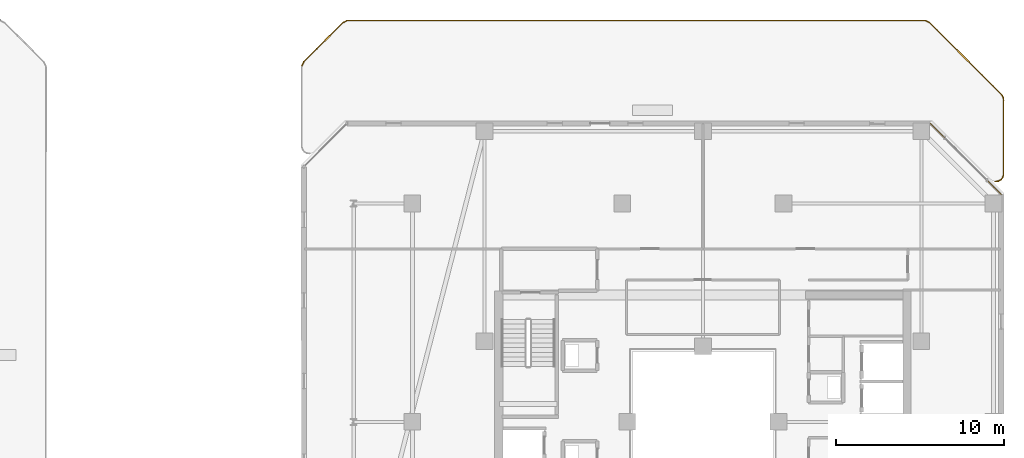
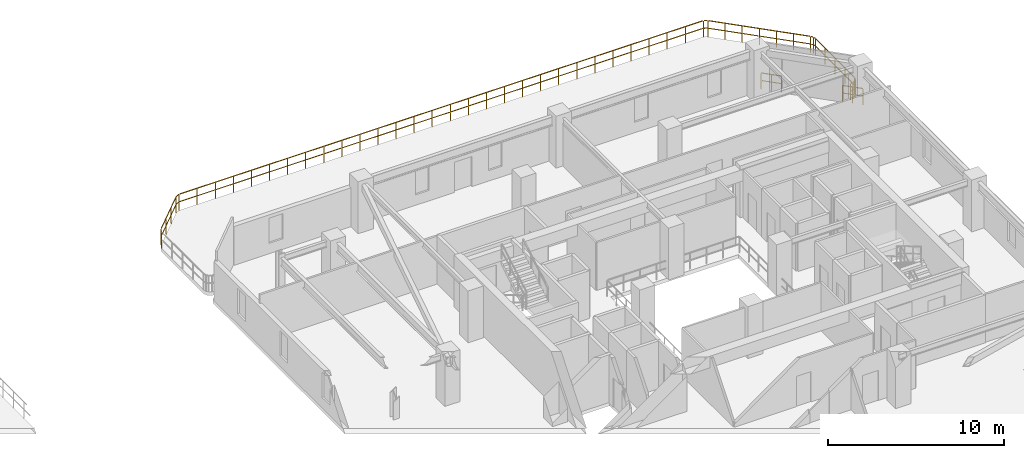
# One storey, part 32 of 32: 3 railings.
"""IFC4 building model written with IfcOpenShell, lengths in metres."""

from ifc_helpers import new_model, si_unit, direction, frame, origin, origin_2d, place, context, subcontext, project, spatial, rectangle, extrude, material, type_object, element, save


model = new_model("IFC4")

# Units and contexts
model_context = context("Model", 3, precision=1e-05, world=origin(), true_north=direction((0.0, 1.0)))
body_context = subcontext(model_context, "Body", "Model", "MODEL_VIEW")
ifc_project = project(units=[si_unit("LENGTHUNIT", "METRE"), si_unit("AREAUNIT", "SQUARE_METRE"), si_unit("VOLUMEUNIT", "CUBIC_METRE"), si_unit("PLANEANGLEUNIT", "RADIAN"), si_unit("MASSUNIT", "GRAM", prefix="KILO")], contexts=[model_context])

# Site, building, storey
site_placement = place(None, origin())
site = spatial("IfcSite", under=ifc_project, at=site_placement, CompositionType="ELEMENT")
building_placement = place(site_placement, origin())
building = spatial("IfcBuilding", under=site, at=building_placement, Name="Thornwick Lancets Civic Towers", CompositionType="ELEMENT")
storey_placement = place(building_placement, frame((0.0, 0.0, 200.10009765625)))
storey = spatial("IfcBuildingStorey", under=building, at=storey_placement, Name="L53", CompositionType="ELEMENT", Elevation=200.10009765625)

# Railings
ifc_material = material(Name="Terracotta-capped laminated glass balustrade S355", Category="masonry")
railing_type = type_object("IfcRailingType", Name="RAIL_TERR_GUARD", PredefinedType="GUARDRAIL", material=ifc_material)
for number, where, name in (
    (1, (106.25927734375, 40.52587890625, 0.0), "L53 Tower B Chamfer Spandrel Guard E3-1"),
    (2, (102.87646484375, 43.90869140625, 0.0), "L53 Tower B Chamfer Spandrel Guard E3-2"),
):
    element("IfcRailing", number, at=place(storey_placement, frame(where)), inside=storey, type_object=railing_type, Name=name, PredefinedType="GUARDRAIL", context=body_context, shape_type="SweptSolid", body=[
        extrude(rectangle(XDim=0.048095703125, YDim=0.048095703125, at=origin_2d()), frame((0.0, 0.0, 1.1259765625), z_axis=(-0.707106781187, 0.707106781187, 0.0), x_axis=(-0.707106781187, -0.707106781187, 0.0)), (0.0, 0.0, 1.0), 1.202880859375),
        extrude(rectangle(XDim=0.0419921875, YDim=0.0419921875, at=origin_2d()), frame((-0.026611328125, 0.026611328125, 0.597900390625), z_axis=(-0.707106781187, 0.707106781187, 0.0), x_axis=(-0.707106781187, -0.707106781187, 0.0)), (0.0, 0.0, 1.0), 0.5263671875),
        extrude(rectangle(XDim=0.0419921875, YDim=0.0419921875, at=origin_2d()), frame((-0.451904296875, 0.451904296875, 0.597900390625), z_axis=(-0.707106781187, 0.707106781187, 0.0), x_axis=(-0.707106781187, -0.707106781187, 0.0)), (0.0, 0.0, 1.0), 0.5263671875),
        extrude(rectangle(XDim=0.0419921875, YDim=0.0419921875, at=origin_2d()), origin(), (0.0, 0.0, 1.0), 1.095703125),
        extrude(rectangle(XDim=0.0419921875, YDim=0.0419921875, at=origin_2d()), frame((-0.42529296875, 0.42529296875, 0.0)), (0.0, 0.0, 1.0), 1.095703125),
        extrude(rectangle(XDim=0.0419921875, YDim=0.0419921875, at=origin_2d()), frame((-0.8505859375, 0.8505859375, 0.0)), (0.0, 0.0, 1.0), 1.095703125),
    ])
railing_placement = place(storey_placement, frame((64.602294921875, 48.15771484375, 0.0)))
element("IfcRailing", 3, at=railing_placement, inside=storey, type_object=railing_type, Name="L53 Tower B Sky-Garden Guard 1 Part 1", PredefinedType="GUARDRAIL", context=body_context, shape_type="SweptSolid", body=[
    extrude(rectangle(XDim=0.048095703125, YDim=0.048095703125, at=origin_2d()), frame((0.0, 0.0, 1.1259765625), z_axis=(0.426805098696, 0.904343633652, 0.0), x_axis=(-0.904343633652, 0.426805098696, 0.0)), (0.0, 0.0, 1.0), 0.27197265625),
    extrude(rectangle(XDim=0.0419921875, YDim=0.0419921875, at=origin_2d()), frame((0.01611328125, 0.033935546875, 0.597900390625), z_axis=(0.426805098696, 0.904343633652, 0.0), x_axis=(-0.904343633652, 0.426805098696, 0.0)), (0.0, 0.0, 1.0), 0.228271484375),
    extrude(rectangle(XDim=0.048095703125, YDim=0.048095703125, at=origin_2d()), frame((0.151611328125, 0.29638671875, 1.1259765625), z_axis=(0.707106781187, 0.707106781187, 0.0), x_axis=(-0.707106781187, 0.707106781187, 0.0)), (0.0, 0.0, 1.0), 3.24169921875),
    extrude(rectangle(XDim=0.0419921875, YDim=0.0419921875, at=origin_2d()), frame((0.156005859375, 0.30078125, 0.597900390625), z_axis=(0.707106781187, 0.707106781187, 0.0), x_axis=(-0.707106781187, 0.707106781187, 0.0)), (0.0, 0.0, 1.0), 1.0263671875),
    extrude(rectangle(XDim=0.0419921875, YDim=0.0419921875, at=origin_2d()), frame((0.934814453125, 1.07958984375, 0.597900390625), z_axis=(0.707106781187, 0.707106781187, 0.0), x_axis=(-0.707106781187, 0.707106781187, 0.0)), (0.0, 0.0, 1.0), 1.0263671875),
    extrude(rectangle(XDim=0.0419921875, YDim=0.0419921875, at=origin_2d()), frame((1.713623046875, 1.8583984375, 0.597900390625), z_axis=(0.707106781187, 0.707106781187, 0.0), x_axis=(-0.707106781187, 0.707106781187, 0.0)), (0.0, 0.0, 1.0), 1.0263671875),
    extrude(rectangle(XDim=0.048095703125, YDim=0.048095703125, at=origin_2d()), frame((2.494140625, 2.6240234375, 1.1259765625), z_axis=(0.904343633652, 0.426805098696, 0.0), x_axis=(-0.426805098696, 0.904343633652, 0.0)), (0.0, 0.0, 1.0), 0.24072265625),
    extrude(rectangle(XDim=0.0419921875, YDim=0.0419921875, at=origin_2d()), frame((2.499755859375, 2.626708984375, 0.597900390625), z_axis=(0.904343633652, 0.426805098696, 0.0), x_axis=(-0.426805098696, 0.904343633652, 0.0)), (0.0, 0.0, 1.0), 0.228271484375),
    extrude(rectangle(XDim=0.048095703125, YDim=0.048095703125, at=origin_2d()), frame((2.771240234375, 2.739990234375, 1.1259765625), z_axis=(0.999999982996, -0.000184411547, 0.0), x_axis=(0.000184411547, 0.999999982996, 0.0)), (0.0, 0.0, 1.0), 34.358642578125),
    extrude(rectangle(XDim=0.0419921875, YDim=0.0419921875, at=origin_2d()), frame((2.777587890625, 2.739990234375, 0.597900390625), z_axis=(0.999999982996, -0.000184411547, 0.0), x_axis=(0.000184411547, 0.999999982996, 0.0)), (0.0, 0.0, 1.0), 1.112060546875),
    extrude(rectangle(XDim=0.0419921875, YDim=0.0419921875, at=origin_2d()), frame((3.96435546875, 2.73974609375, 0.597900390625), z_axis=(0.999999982996, -0.000184411547, 0.0), x_axis=(0.000184411547, 0.999999982996, 0.0)), (0.0, 0.0, 1.0), 1.112060546875),
    extrude(rectangle(XDim=0.0419921875, YDim=0.0419921875, at=origin_2d()), frame((5.1513671875, 2.739501953125, 0.597900390625), z_axis=(0.999999982996, -0.000184411547, 0.0), x_axis=(0.000184411547, 0.999999982996, 0.0)), (0.0, 0.0, 1.0), 1.112060546875),
    extrude(rectangle(XDim=0.0419921875, YDim=0.0419921875, at=origin_2d()), frame((6.33837890625, 2.7392578125, 0.597900390625), z_axis=(0.999999982996, -0.000184411547, 0.0), x_axis=(0.000184411547, 0.999999982996, 0.0)), (0.0, 0.0, 1.0), 1.112060546875),
    extrude(rectangle(XDim=0.0419921875, YDim=0.0419921875, at=origin_2d()), frame((7.525146484375, 2.739013671875, 0.597900390625), z_axis=(0.999999982996, -0.000184411547, 0.0), x_axis=(0.000184411547, 0.999999982996, 0.0)), (0.0, 0.0, 1.0), 1.112060546875),
    extrude(rectangle(XDim=0.0419921875, YDim=0.0419921875, at=origin_2d()), frame((8.712158203125, 2.73876953125, 0.597900390625), z_axis=(0.999999982996, -0.000184411547, 0.0), x_axis=(0.000184411547, 0.999999982996, 0.0)), (0.0, 0.0, 1.0), 1.112060546875),
    extrude(rectangle(XDim=0.0419921875, YDim=0.0419921875, at=origin_2d()), frame((9.899169921875, 2.73876953125, 0.597900390625), z_axis=(0.999999982996, -0.000184411547, 0.0), x_axis=(0.000184411547, 0.999999982996, 0.0)), (0.0, 0.0, 1.0), 1.112060546875),
    extrude(rectangle(XDim=0.0419921875, YDim=0.0419921875, at=origin_2d()), frame((11.0859375, 2.738525390625, 0.597900390625), z_axis=(0.999999982996, -0.000184411547, 0.0), x_axis=(0.000184411547, 0.999999982996, 0.0)), (0.0, 0.0, 1.0), 1.112060546875),
    extrude(rectangle(XDim=0.0419921875, YDim=0.0419921875, at=origin_2d()), frame((12.27294921875, 2.73828125, 0.597900390625), z_axis=(0.999999982996, -0.000184411547, 0.0), x_axis=(0.000184411547, 0.999999982996, 0.0)), (0.0, 0.0, 1.0), 1.112060546875),
    extrude(rectangle(XDim=0.0419921875, YDim=0.0419921875, at=origin_2d()), frame((13.4599609375, 2.738037109375, 0.597900390625), z_axis=(0.999999982996, -0.000184411547, 0.0), x_axis=(0.000184411547, 0.999999982996, 0.0)), (0.0, 0.0, 1.0), 1.112060546875),
    extrude(rectangle(XDim=0.0419921875, YDim=0.0419921875, at=origin_2d()), frame((14.646728515625, 2.73779296875, 0.597900390625), z_axis=(0.999999982996, -0.000184411547, 0.0), x_axis=(0.000184411547, 0.999999982996, 0.0)), (0.0, 0.0, 1.0), 1.112060546875),
    extrude(rectangle(XDim=0.0419921875, YDim=0.0419921875, at=origin_2d()), frame((15.833740234375, 2.737548828125, 0.597900390625), z_axis=(0.999999982996, -0.000184411547, 0.0), x_axis=(0.000184411547, 0.999999982996, 0.0)), (0.0, 0.0, 1.0), 1.112060546875),
    extrude(rectangle(XDim=0.0419921875, YDim=0.0419921875, at=origin_2d()), frame((17.020751953125, 2.7373046875, 0.597900390625), z_axis=(0.999999982996, -0.000184411547, 0.0), x_axis=(0.000184411547, 0.999999982996, 0.0)), (0.0, 0.0, 1.0), 1.112060546875),
    extrude(rectangle(XDim=0.0419921875, YDim=0.0419921875, at=origin_2d()), frame((18.207763671875, 2.737060546875, 0.597900390625), z_axis=(0.999999982996, -0.000184411547, 0.0), x_axis=(0.000184411547, 0.999999982996, 0.0)), (0.0, 0.0, 1.0), 1.112060546875),
    extrude(rectangle(XDim=0.0419921875, YDim=0.0419921875, at=origin_2d()), frame((19.39453125, 2.73681640625, 0.597900390625), z_axis=(0.999999982996, -0.000184411547, 0.0), x_axis=(0.000184411547, 0.999999982996, 0.0)), (0.0, 0.0, 1.0), 1.112060546875),
    extrude(rectangle(XDim=0.0419921875, YDim=0.0419921875, at=origin_2d()), frame((20.58154296875, 2.73681640625, 0.597900390625), z_axis=(0.999999982996, -0.000184411547, 0.0), x_axis=(0.000184411547, 0.999999982996, 0.0)), (0.0, 0.0, 1.0), 1.112060546875),
    extrude(rectangle(XDim=0.0419921875, YDim=0.0419921875, at=origin_2d()), frame((21.7685546875, 2.736572265625, 0.597900390625), z_axis=(0.999999982996, -0.000184411547, 0.0), x_axis=(0.000184411547, 0.999999982996, 0.0)), (0.0, 0.0, 1.0), 1.112060546875),
    extrude(rectangle(XDim=0.0419921875, YDim=0.0419921875, at=origin_2d()), frame((22.955322265625, 2.736328125, 0.597900390625), z_axis=(0.999999982996, -0.000184411547, 0.0), x_axis=(0.000184411547, 0.999999982996, 0.0)), (0.0, 0.0, 1.0), 1.112060546875),
    extrude(rectangle(XDim=0.0419921875, YDim=0.0419921875, at=origin_2d()), frame((24.142333984375, 2.736083984375, 0.597900390625), z_axis=(0.999999982996, -0.000184411547, 0.0), x_axis=(0.000184411547, 0.999999982996, 0.0)), (0.0, 0.0, 1.0), 1.112060546875),
    extrude(rectangle(XDim=0.0419921875, YDim=0.0419921875, at=origin_2d()), frame((25.329345703125, 2.73583984375, 0.597900390625), z_axis=(0.999999982996, -0.000184411547, 0.0), x_axis=(0.000184411547, 0.999999982996, 0.0)), (0.0, 0.0, 1.0), 1.112060546875),
    extrude(rectangle(XDim=0.0419921875, YDim=0.0419921875, at=origin_2d()), frame((26.51611328125, 2.735595703125, 0.597900390625), z_axis=(0.999999982996, -0.000184411547, 0.0), x_axis=(0.000184411547, 0.999999982996, 0.0)), (0.0, 0.0, 1.0), 1.112060546875),
    extrude(rectangle(XDim=0.0419921875, YDim=0.0419921875, at=origin_2d()), frame((27.703125, 2.7353515625, 0.597900390625), z_axis=(0.999999982996, -0.000184411547, 0.0), x_axis=(0.000184411547, 0.999999982996, 0.0)), (0.0, 0.0, 1.0), 1.112060546875),
    extrude(rectangle(XDim=0.0419921875, YDim=0.0419921875, at=origin_2d()), frame((28.89013671875, 2.735107421875, 0.597900390625), z_axis=(0.999999982996, -0.000184411547, 0.0), x_axis=(0.000184411547, 0.999999982996, 0.0)), (0.0, 0.0, 1.0), 1.112060546875),
    extrude(rectangle(XDim=0.0419921875, YDim=0.0419921875, at=origin_2d()), frame((30.076904296875, 2.73486328125, 0.597900390625), z_axis=(0.999999982996, -0.000184411547, 0.0), x_axis=(0.000184411547, 0.999999982996, 0.0)), (0.0, 0.0, 1.0), 1.112060546875),
    extrude(rectangle(XDim=0.0419921875, YDim=0.0419921875, at=origin_2d()), frame((31.263916015625, 2.734619140625, 0.597900390625), z_axis=(0.999999982996, -0.000184411547, 0.0), x_axis=(0.000184411547, 0.999999982996, 0.0)), (0.0, 0.0, 1.0), 1.112060546875),
    extrude(rectangle(XDim=0.0419921875, YDim=0.0419921875, at=origin_2d()), frame((32.450927734375, 2.734619140625, 0.597900390625), z_axis=(0.999999982996, -0.000184411547, 0.0), x_axis=(0.000184411547, 0.999999982996, 0.0)), (0.0, 0.0, 1.0), 1.112060546875),
    extrude(rectangle(XDim=0.0419921875, YDim=0.0419921875, at=origin_2d()), frame((33.637939453125, 2.734375, 0.597900390625), z_axis=(0.999999982996, -0.000184411547, 0.0), x_axis=(0.000184411547, 0.999999982996, 0.0)), (0.0, 0.0, 1.0), 1.112060546875),
    extrude(rectangle(XDim=0.0419921875, YDim=0.0419921875, at=origin_2d()), frame((34.82470703125, 2.734130859375, 0.597900390625), z_axis=(0.999999982996, -0.000184411547, 0.0), x_axis=(0.000184411547, 0.999999982996, 0.0)), (0.0, 0.0, 1.0), 1.112060546875),
    extrude(rectangle(XDim=0.0419921875, YDim=0.0419921875, at=origin_2d()), frame((36.01171875, 2.73388671875, 0.597900390625), z_axis=(0.999999982996, -0.000184411547, 0.0), x_axis=(0.000184411547, 0.999999982996, 0.0)), (0.0, 0.0, 1.0), 1.112060546875),
    extrude(rectangle(XDim=0.048095703125, YDim=0.048095703125, at=origin_2d()), frame((37.188720703125, 2.718994140625, 1.1259765625), z_axis=(0.882145912945, -0.470976207759, 0.0), x_axis=(0.470976207759, 0.882145912945, 0.0)), (0.0, 0.0, 1.0), 0.19873046875),
    extrude(rectangle(XDim=0.0419921875, YDim=0.0419921875, at=origin_2d()), frame((37.194091796875, 2.716064453125, 0.597900390625), z_axis=(0.882145912945, -0.470976207759, 0.0), x_axis=(0.470976207759, 0.882145912945, 0.0)), (0.0, 0.0, 1.0), 0.186279296875),
    extrude(rectangle(XDim=0.048095703125, YDim=0.048095703125, at=origin_2d()), frame((37.413818359375, 2.58837890625, 1.1259765625), z_axis=(0.707106781187, -0.707106781187, 0.0), x_axis=(0.707106781187, 0.707106781187, 0.0)), (0.0, 0.0, 1.0), 5.982421875),
    extrude(rectangle(XDim=0.0419921875, YDim=0.0419921875, at=origin_2d()), frame((37.418212890625, 2.583984375, 0.597900390625), z_axis=(0.707106781187, -0.707106781187, 0.0), x_axis=(0.707106781187, 0.707106781187, 0.0)), (0.0, 0.0, 1.0), 0.9326171875),
    extrude(rectangle(XDim=0.0419921875, YDim=0.0419921875, at=origin_2d()), frame((38.130615234375, 1.87158203125, 0.597900390625), z_axis=(0.707106781187, -0.707106781187, 0.0), x_axis=(0.707106781187, 0.707106781187, 0.0)), (0.0, 0.0, 1.0), 0.9326171875),
    extrude(rectangle(XDim=0.0419921875, YDim=0.0419921875, at=origin_2d()), frame((38.843017578125, 1.1591796875, 0.597900390625), z_axis=(0.707106781187, -0.707106781187, 0.0), x_axis=(0.707106781187, 0.707106781187, 0.0)), (0.0, 0.0, 1.0), 0.9326171875),
    extrude(rectangle(XDim=0.0419921875, YDim=0.0419921875, at=origin_2d()), frame((39.555419921875, 0.44677734375, 0.597900390625), z_axis=(0.707106781187, -0.707106781187, 0.0), x_axis=(0.707106781187, 0.707106781187, 0.0)), (0.0, 0.0, 1.0), 0.9326171875),
    extrude(rectangle(XDim=0.0419921875, YDim=0.0419921875, at=origin_2d()), frame((40.267822265625, -0.265625, 0.597900390625), z_axis=(0.707106781187, -0.707106781187, 0.0), x_axis=(0.707106781187, 0.707106781187, 0.0)), (0.0, 0.0, 1.0), 0.9326171875),
    extrude(rectangle(XDim=0.0419921875, YDim=0.0419921875, at=origin_2d()), frame((40.980224609375, -0.97802734375, 0.597900390625), z_axis=(0.707106781187, -0.707106781187, 0.0), x_axis=(0.707106781187, 0.707106781187, 0.0)), (0.0, 0.0, 1.0), 0.9326171875),
    extrude(rectangle(XDim=0.048095703125, YDim=0.048095703125, at=origin_2d()), frame((41.683349609375, -1.68994140625, 1.1259765625), z_axis=(0.555021161978, -0.831836227726, 0.0), x_axis=(0.831836227726, 0.555021161978, 0.0)), (0.0, 0.0, 1.0), 0.113037109375),
    extrude(rectangle(XDim=0.0419921875, YDim=0.0419921875, at=origin_2d()), frame((41.686767578125, -1.695068359375, 0.597900390625), z_axis=(0.555021161978, -0.831836227726, 0.0), x_axis=(0.831836227726, 0.555021161978, 0.0)), (0.0, 0.0, 1.0), 0.1005859375),
    extrude(rectangle(XDim=0.048095703125, YDim=0.048095703125, at=origin_2d()), frame((41.76953125, -1.840576171875, 1.1259765625), z_axis=(0.194512746019, -0.980899990639, 0.0), x_axis=(0.980899990639, 0.194512746019, 0.0)), (0.0, 0.0, 1.0), 0.11328125),
    extrude(rectangle(XDim=0.0419921875, YDim=0.0419921875, at=origin_2d()), frame((41.770751953125, -1.8466796875, 0.597900390625), z_axis=(0.194512746019, -0.980899990639, 0.0), x_axis=(0.980899990639, 0.194512746019, 0.0)), (0.0, 0.0, 1.0), 0.100830078125),
    extrude(rectangle(XDim=0.048095703125, YDim=0.048095703125, at=origin_2d()), frame((41.797607421875, -2.013427734375, 1.1259765625), z_axis=(-0.000491883856, -0.999999879025, 0.0), x_axis=(0.999999879025, -0.000491883856, 0.0)), (0.0, 0.0, 1.0), 4.404541015625),
    extrude(rectangle(XDim=0.0419921875, YDim=0.0419921875, at=origin_2d()), frame((41.797607421875, -2.019775390625, 0.597900390625), z_axis=(-0.000491883856, -0.999999879025, 0.0), x_axis=(0.999999879025, -0.000491883856, 0.0)), (0.0, 0.0, 1.0), 1.041748046875),
    extrude(rectangle(XDim=0.0419921875, YDim=0.0419921875, at=origin_2d()), frame((41.797119140625, -3.136474609375, 0.597900390625), z_axis=(-0.000491883856, -0.999999879025, 0.0), x_axis=(0.999999879025, -0.000491883856, 0.0)), (0.0, 0.0, 1.0), 1.041748046875),
    extrude(rectangle(XDim=0.0419921875, YDim=0.0419921875, at=origin_2d()), frame((41.79638671875, -4.253173828125, 0.597900390625), z_axis=(-0.000491883856, -0.999999879025, 0.0), x_axis=(0.999999879025, -0.000491883856, 0.0)), (0.0, 0.0, 1.0), 1.041748046875),
    extrude(rectangle(XDim=0.0419921875, YDim=0.0419921875, at=origin_2d()), frame((41.7958984375, -5.369873046875, 0.597900390625), z_axis=(-0.000491883856, -0.999999879025, 0.0), x_axis=(0.999999879025, -0.000491883856, 0.0)), (0.0, 0.0, 1.0), 1.041748046875),
    extrude(rectangle(XDim=0.048095703125, YDim=0.048095703125, at=origin_2d()), frame((41.786376953125, -6.479248046875, 1.1259765625), z_axis=(-0.289389501276, -0.957211427299, 0.0), x_axis=(0.957211427299, -0.289389501276, 0.0)), (0.0, 0.0, 1.0), 0.113037109375),
    extrude(rectangle(XDim=0.0419921875, YDim=0.0419921875, at=origin_2d()), frame((41.78466796875, -6.485107421875, 0.597900390625), z_axis=(-0.289389501276, -0.957211427299, 0.0), x_axis=(0.957211427299, -0.289389501276, 0.0)), (0.0, 0.0, 1.0), 0.1005859375),
    extrude(rectangle(XDim=0.048095703125, YDim=0.048095703125, at=origin_2d()), frame((41.724853515625, -6.641357421875, 1.1259765625), z_axis=(-0.634146109242, -0.773213238462, 0.0), x_axis=(0.773213238462, -0.634146109242, 0.0)), (0.0, 0.0, 1.0), 0.113037109375),
    extrude(rectangle(XDim=0.0419921875, YDim=0.0419921875, at=origin_2d()), frame((41.720947265625, -6.646240234375, 0.597900390625), z_axis=(-0.634146109242, -0.773213238462, 0.0), x_axis=(0.773213238462, -0.634146109242, 0.0)), (0.0, 0.0, 1.0), 0.1005859375),
    extrude(rectangle(XDim=0.048095703125, YDim=0.048095703125, at=origin_2d()), frame((41.605712890625, -6.767578125, 1.1259765625), z_axis=(-0.882160586654, -0.470948722639, 0.0), x_axis=(0.470948722639, -0.882160586654, 0.0)), (0.0, 0.0, 1.0), 0.11328125),
    extrude(rectangle(XDim=0.0419921875, YDim=0.0419921875, at=origin_2d()), frame((41.600341796875, -6.7705078125, 0.597900390625), z_axis=(-0.882160586654, -0.470948722639, 0.0), x_axis=(0.470948722639, -0.882160586654, 0.0)), (0.0, 0.0, 1.0), 0.100830078125),
    extrude(rectangle(XDim=0.048095703125, YDim=0.048095703125, at=origin_2d()), frame((41.447265625, -6.838623046875, 1.1259765625), z_axis=(-0.995689506528, -0.092749159512, 0.0), x_axis=(0.092749159512, -0.995689506528, 0.0)), (0.0, 0.0, 1.0), 0.147705078125),
    extrude(rectangle(XDim=0.0419921875, YDim=0.0419921875, at=origin_2d()), frame((41.44091796875, -6.839111328125, 0.597900390625), z_axis=(-0.995689506528, -0.092749159512, 0.0), x_axis=(0.092749159512, -0.995689506528, 0.0)), (0.0, 0.0, 1.0), 0.10400390625),
    extrude(rectangle(XDim=0.0419921875, YDim=0.0419921875, at=origin_2d()), origin(), (0.0, 0.0, 1.0), 1.095703125),
    extrude(rectangle(XDim=0.0419921875, YDim=0.0419921875, at=origin_2d()), frame((0.12939453125, 0.274169921875, 0.0)), (0.0, 0.0, 1.0), 1.095703125),
    extrude(rectangle(XDim=0.0419921875, YDim=0.0419921875, at=origin_2d()), frame((0.908203125, 1.052978515625, 0.0)), (0.0, 0.0, 1.0), 1.095703125),
    extrude(rectangle(XDim=0.0419921875, YDim=0.0419921875, at=origin_2d()), frame((1.68701171875, 1.831787109375, 0.0)), (0.0, 0.0, 1.0), 1.095703125),
    extrude(rectangle(XDim=0.0419921875, YDim=0.0419921875, at=origin_2d()), frame((2.4658203125, 2.610595703125, 0.0)), (0.0, 0.0, 1.0), 1.095703125),
    extrude(rectangle(XDim=0.0419921875, YDim=0.0419921875, at=origin_2d()), frame((2.739990234375, 2.739990234375, 0.0)), (0.0, 0.0, 1.0), 1.095703125),
    extrude(rectangle(XDim=0.0419921875, YDim=0.0419921875, at=origin_2d()), frame((3.927001953125, 2.73974609375, 0.0)), (0.0, 0.0, 1.0), 1.095703125),
    extrude(rectangle(XDim=0.0419921875, YDim=0.0419921875, at=origin_2d()), frame((5.11376953125, 2.739501953125, 0.0)), (0.0, 0.0, 1.0), 1.095703125),
    extrude(rectangle(XDim=0.0419921875, YDim=0.0419921875, at=origin_2d()), frame((6.30078125, 2.7392578125, 0.0)), (0.0, 0.0, 1.0), 1.095703125),
    extrude(rectangle(XDim=0.0419921875, YDim=0.0419921875, at=origin_2d()), frame((7.48779296875, 2.739013671875, 0.0)), (0.0, 0.0, 1.0), 1.095703125),
    extrude(rectangle(XDim=0.0419921875, YDim=0.0419921875, at=origin_2d()), frame((8.674560546875, 2.739013671875, 0.0)), (0.0, 0.0, 1.0), 1.095703125),
    extrude(rectangle(XDim=0.0419921875, YDim=0.0419921875, at=origin_2d()), frame((9.861572265625, 2.73876953125, 0.0)), (0.0, 0.0, 1.0), 1.095703125),
    extrude(rectangle(XDim=0.0419921875, YDim=0.0419921875, at=origin_2d()), frame((11.048583984375, 2.738525390625, 0.0)), (0.0, 0.0, 1.0), 1.095703125),
    extrude(rectangle(XDim=0.0419921875, YDim=0.0419921875, at=origin_2d()), frame((12.235595703125, 2.73828125, 0.0)), (0.0, 0.0, 1.0), 1.095703125),
    extrude(rectangle(XDim=0.0419921875, YDim=0.0419921875, at=origin_2d()), frame((13.42236328125, 2.738037109375, 0.0)), (0.0, 0.0, 1.0), 1.095703125),
    extrude(rectangle(XDim=0.0419921875, YDim=0.0419921875, at=origin_2d()), frame((14.609375, 2.73779296875, 0.0)), (0.0, 0.0, 1.0), 1.095703125),
    extrude(rectangle(XDim=0.0419921875, YDim=0.0419921875, at=origin_2d()), frame((15.79638671875, 2.737548828125, 0.0)), (0.0, 0.0, 1.0), 1.095703125),
    extrude(rectangle(XDim=0.0419921875, YDim=0.0419921875, at=origin_2d()), frame((16.983154296875, 2.7373046875, 0.0)), (0.0, 0.0, 1.0), 1.095703125),
    extrude(rectangle(XDim=0.0419921875, YDim=0.0419921875, at=origin_2d()), frame((18.170166015625, 2.737060546875, 0.0)), (0.0, 0.0, 1.0), 1.095703125),
    extrude(rectangle(XDim=0.0419921875, YDim=0.0419921875, at=origin_2d()), frame((19.357177734375, 2.73681640625, 0.0)), (0.0, 0.0, 1.0), 1.095703125),
    extrude(rectangle(XDim=0.0419921875, YDim=0.0419921875, at=origin_2d()), frame((20.5439453125, 2.73681640625, 0.0)), (0.0, 0.0, 1.0), 1.095703125),
    extrude(rectangle(XDim=0.0419921875, YDim=0.0419921875, at=origin_2d()), frame((21.73095703125, 2.736572265625, 0.0)), (0.0, 0.0, 1.0), 1.095703125),
    extrude(rectangle(XDim=0.0419921875, YDim=0.0419921875, at=origin_2d()), frame((22.91796875, 2.736328125, 0.0)), (0.0, 0.0, 1.0), 1.095703125),
    extrude(rectangle(XDim=0.0419921875, YDim=0.0419921875, at=origin_2d()), frame((24.104736328125, 2.736083984375, 0.0)), (0.0, 0.0, 1.0), 1.095703125),
    extrude(rectangle(XDim=0.0419921875, YDim=0.0419921875, at=origin_2d()), frame((25.291748046875, 2.73583984375, 0.0)), (0.0, 0.0, 1.0), 1.095703125),
    extrude(rectangle(XDim=0.0419921875, YDim=0.0419921875, at=origin_2d()), frame((26.478759765625, 2.735595703125, 0.0)), (0.0, 0.0, 1.0), 1.095703125),
    extrude(rectangle(XDim=0.0419921875, YDim=0.0419921875, at=origin_2d()), frame((27.66552734375, 2.7353515625, 0.0)), (0.0, 0.0, 1.0), 1.095703125),
    extrude(rectangle(XDim=0.0419921875, YDim=0.0419921875, at=origin_2d()), frame((28.8525390625, 2.735107421875, 0.0)), (0.0, 0.0, 1.0), 1.095703125),
    extrude(rectangle(XDim=0.0419921875, YDim=0.0419921875, at=origin_2d()), frame((30.03955078125, 2.73486328125, 0.0)), (0.0, 0.0, 1.0), 1.095703125),
    extrude(rectangle(XDim=0.0419921875, YDim=0.0419921875, at=origin_2d()), frame((31.2265625, 2.734619140625, 0.0)), (0.0, 0.0, 1.0), 1.095703125),
    extrude(rectangle(XDim=0.0419921875, YDim=0.0419921875, at=origin_2d()), frame((32.413330078125, 2.734619140625, 0.0)), (0.0, 0.0, 1.0), 1.095703125),
    extrude(rectangle(XDim=0.0419921875, YDim=0.0419921875, at=origin_2d()), frame((33.600341796875, 2.734375, 0.0)), (0.0, 0.0, 1.0), 1.095703125),
    extrude(rectangle(XDim=0.0419921875, YDim=0.0419921875, at=origin_2d()), frame((34.787353515625, 2.734130859375, 0.0)), (0.0, 0.0, 1.0), 1.095703125),
    extrude(rectangle(XDim=0.0419921875, YDim=0.0419921875, at=origin_2d()), frame((35.97412109375, 2.73388671875, 0.0)), (0.0, 0.0, 1.0), 1.095703125),
    extrude(rectangle(XDim=0.0419921875, YDim=0.0419921875, at=origin_2d()), frame((37.1611328125, 2.733642578125, 0.0)), (0.0, 0.0, 1.0), 1.095703125),
    extrude(rectangle(XDim=0.0419921875, YDim=0.0419921875, at=origin_2d()), frame((37.3916015625, 2.610595703125, 0.0)), (0.0, 0.0, 1.0), 1.095703125),
    extrude(rectangle(XDim=0.0419921875, YDim=0.0419921875, at=origin_2d()), frame((38.10400390625, 1.898193359375, 0.0)), (0.0, 0.0, 1.0), 1.095703125),
    extrude(rectangle(XDim=0.0419921875, YDim=0.0419921875, at=origin_2d()), frame((38.81640625, 1.185791015625, 0.0)), (0.0, 0.0, 1.0), 1.095703125),
    extrude(rectangle(XDim=0.0419921875, YDim=0.0419921875, at=origin_2d()), frame((39.52880859375, 0.473388671875, 0.0)), (0.0, 0.0, 1.0), 1.095703125),
    extrude(rectangle(XDim=0.0419921875, YDim=0.0419921875, at=origin_2d()), frame((40.2412109375, -0.239013671875, 0.0)), (0.0, 0.0, 1.0), 1.095703125),
    extrude(rectangle(XDim=0.0419921875, YDim=0.0419921875, at=origin_2d()), frame((40.95361328125, -0.951416015625, 0.0)), (0.0, 0.0, 1.0), 1.095703125),
    extrude(rectangle(XDim=0.0419921875, YDim=0.0419921875, at=origin_2d()), frame((41.666015625, -1.663818359375, 0.0)), (0.0, 0.0, 1.0), 1.095703125),
    extrude(rectangle(XDim=0.0419921875, YDim=0.0419921875, at=origin_2d()), frame((41.763427734375, -1.809814453125, 0.0)), (0.0, 0.0, 1.0), 1.095703125),
    extrude(rectangle(XDim=0.0419921875, YDim=0.0419921875, at=origin_2d()), frame((41.797607421875, -1.982177734375, 0.0)), (0.0, 0.0, 1.0), 1.095703125),
    extrude(rectangle(XDim=0.0419921875, YDim=0.0419921875, at=origin_2d()), frame((41.797119140625, -3.098876953125, 0.0)), (0.0, 0.0, 1.0), 1.095703125),
    extrude(rectangle(XDim=0.0419921875, YDim=0.0419921875, at=origin_2d()), frame((41.79638671875, -4.2158203125, 0.0)), (0.0, 0.0, 1.0), 1.095703125),
    extrude(rectangle(XDim=0.0419921875, YDim=0.0419921875, at=origin_2d()), frame((41.7958984375, -5.33251953125, 0.0)), (0.0, 0.0, 1.0), 1.095703125),
    extrude(rectangle(XDim=0.0419921875, YDim=0.0419921875, at=origin_2d()), frame((41.79541015625, -6.44921875, 0.0)), (0.0, 0.0, 1.0), 1.095703125),
    extrude(rectangle(XDim=0.0419921875, YDim=0.0419921875, at=origin_2d()), frame((41.74462890625, -6.6171875, 0.0)), (0.0, 0.0, 1.0), 1.095703125),
    extrude(rectangle(XDim=0.0419921875, YDim=0.0419921875, at=origin_2d()), frame((41.63330078125, -6.7529296875, 0.0)), (0.0, 0.0, 1.0), 1.095703125),
    extrude(rectangle(XDim=0.0419921875, YDim=0.0419921875, at=origin_2d()), frame((41.478271484375, -6.835693359375, 0.0)), (0.0, 0.0, 1.0), 1.095703125),
    extrude(rectangle(XDim=0.0419921875, YDim=0.0419921875, at=origin_2d()), frame((41.300048828125, -6.852294921875, 0.0)), (0.0, 0.0, 1.0), 1.095703125),
])

save(model, "model.ifc")
